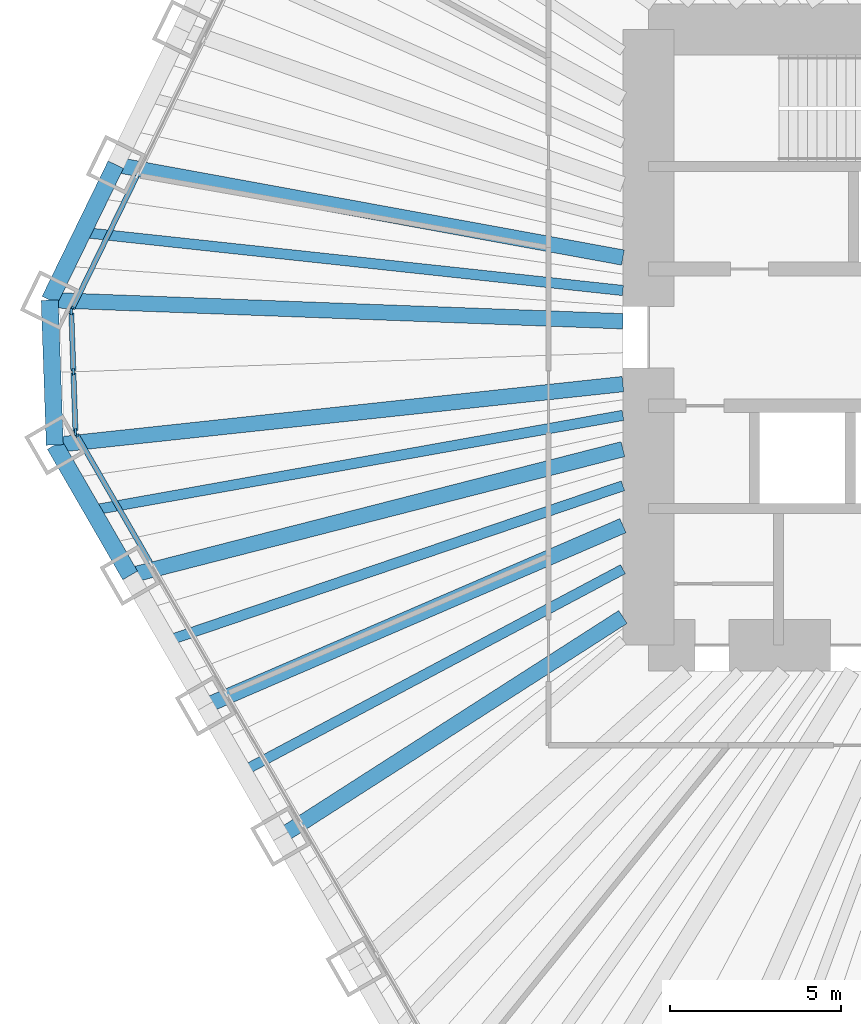
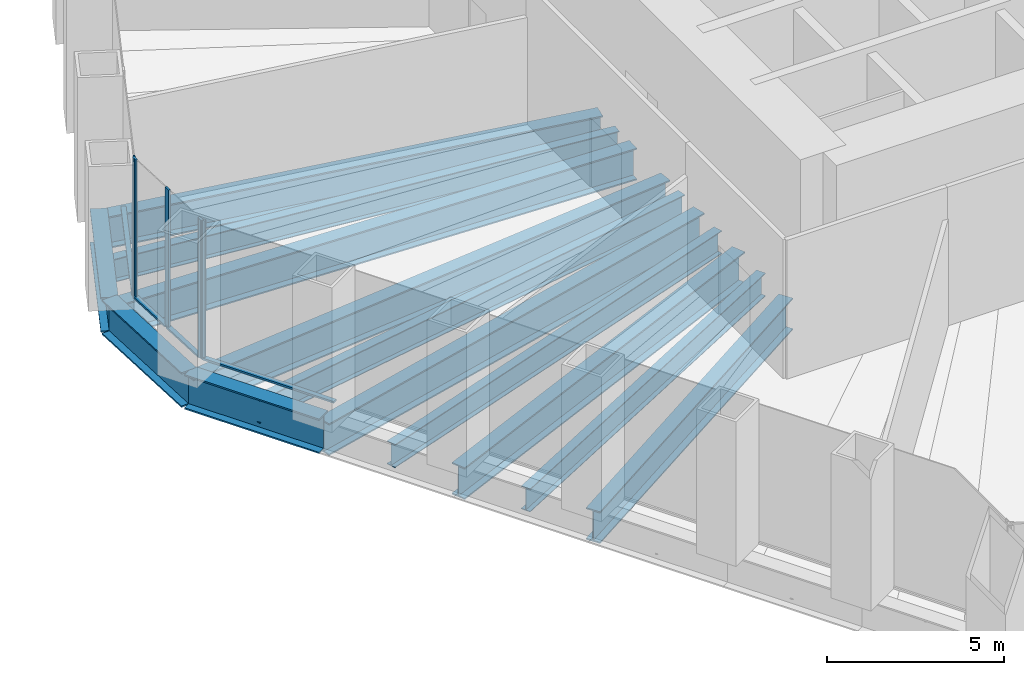
# One storey, part 3 of 13: 13 beams, 9 members, 3 elements without a shape of their own.
"""IFC4 building model written with IfcOpenShell, lengths in metres."""

import ifcopenshell
import ifcopenshell.guid

model = None  # the IFC model being written
_history = None  # IfcOwnerHistory: only IFC2X3 demands one
_inside = {}  # id of a spatial element -> (the spatial element, [elements in it])
_under = {}  # id of a project, library or spatial element -> (it, [spatial elements below it])
_declared = {}  # id of a project -> (the project, [libraries it declares])
_typed = {}  # id of a type object -> (the type object, [elements of that type])
_made_of = {}  # id of a material, layer set ... -> (it, [elements and type objects made of it])


def new_model(schema):
    """Start an empty IFC model of exactly this schema.

    Asked for "IFC4X3", IfcOpenShell would pick the latest addendum, in which some entities
    have other attributes; the version numbers below select the first issue.
    IFC2X3 requires an IfcOwnerHistory on every rooted entity: one is made here for all.
    """
    global model, _history
    if schema == "IFC4X3":
        model = ifcopenshell.file(schema_version=(4, 3, 0, 0))
    else:
        model = ifcopenshell.file(schema=schema)
    _inside.clear()
    _under.clear()
    _declared.clear()
    _typed.clear()
    _made_of.clear()
    _history = None
    if model.schema == "IFC2X3":
        org = make("IfcOrganization", Name="unknown")
        user = make(
            "IfcPersonAndOrganization",
            ThePerson=make("IfcPerson", FamilyName="unknown"),
            TheOrganization=org,
        )
        app = make(
            "IfcApplication",
            ApplicationDeveloper=org,
            Version="unknown",
            ApplicationFullName="unknown",
            ApplicationIdentifier="unknown",
        )
        _history = make(
            "IfcOwnerHistory",
            OwningUser=user,
            OwningApplication=app,
            ChangeAction="ADDED",
            CreationDate=0,
        )
    return model


def make(cls, **values):
    """One entity of the class cls with the attributes given. An attribute that is None is left unset."""
    return model.create_entity(
        cls, **{name: value for name, value in values.items() if value is not None}
    )


def rooted(cls, **values):
    """An entity with a GlobalId (a new one), such as an element, a storey or a relation."""
    return make(cls, GlobalId=ifcopenshell.guid.new(), OwnerHistory=_history, **values)


def si_unit(unit_type, name, prefix=None):
    """IfcSIUnit, for example si_unit("LENGTHUNIT", "METRE", prefix="MILLI")."""
    return make("IfcSIUnit", UnitType=unit_type, Prefix=prefix, Name=name)


def assignment(units):
    """IfcUnitAssignment: the units of a project."""
    return None if units is None else make("IfcUnitAssignment", Units=units)


def point(xyz):
    """IfcCartesianPoint."""
    return None if xyz is None else make("IfcCartesianPoint", Coordinates=xyz)


def direction(xyz):
    """IfcDirection."""
    return None if xyz is None else make("IfcDirection", DirectionRatios=xyz)


def frame(location, z_axis=None, x_axis=None):
    """IfcAxis2Placement3D, a coordinate frame: its origin and axes. An axis left out is left unset."""
    return make(
        "IfcAxis2Placement3D",
        Location=point(location),
        Axis=direction(z_axis),
        RefDirection=direction(x_axis),
    )


def frame_2d(location, x_axis=None):
    """IfcAxis2Placement2D, a coordinate frame in the plane: its origin and x axis."""
    return make(
        "IfcAxis2Placement2D", Location=point(location), RefDirection=direction(x_axis)
    )


def origin():
    """The frame at (0, 0, 0) with its axes left unset."""
    return frame((0.0, 0.0, 0.0))


def origin_2d():
    """The frame at (0, 0) in the plane with its x axis left unset."""
    return frame_2d((0.0, 0.0))


def place(relative_to, where):
    """IfcLocalPlacement: puts the frame where relative to a parent placement (None: the world)."""
    return make(
        "IfcLocalPlacement", PlacementRelTo=relative_to, RelativePlacement=where
    )


def context(
    kind, dimensions, precision=None, world=None, true_north=None, identifier=None
):
    """IfcGeometricRepresentationContext, for example the 3D "Model" context."""
    return make(
        "IfcGeometricRepresentationContext",
        ContextIdentifier=identifier,
        ContextType=kind,
        CoordinateSpaceDimension=dimensions,
        Precision=precision,
        WorldCoordinateSystem=world,
        TrueNorth=true_north,
    )


def subcontext(parent, identifier, kind, view, scale=None):
    """IfcGeometricRepresentationSubContext, for example "Body" below "Model"."""
    return make(
        "IfcGeometricRepresentationSubContext",
        ContextIdentifier=identifier,
        ContextType=kind,
        ParentContext=parent,
        TargetScale=scale,
        TargetView=view,
    )


def project(units=None, contexts=None):
    """IfcProject with its units and contexts."""
    return rooted(
        "IfcProject",
        Name="project",
        RepresentationContexts=contexts,
        UnitsInContext=assignment(units),
    )


def spatial(cls, under=None, at=None, **own):
    """A site, building, storey or space (cls), placed at a placement, below another one or the project."""
    s = rooted(cls, ObjectPlacement=at, **own)
    if under is not None:
        _under.setdefault(under.id(), (under, []))[1].append(s)
    return s


def profile(cls, at=None, kind="AREA", **sizes):
    """A parametric profile (cls). Its sizes go by their IFC names, for example OverallWidth=200.0."""
    return make(cls, ProfileType=kind, Position=at, **sizes)


def rectangle(**sizes):
    """IfcRectangleProfileDef."""
    return profile("IfcRectangleProfileDef", **sizes)


def i_section(**sizes):
    """IfcIShapeProfileDef."""
    return profile("IfcIShapeProfileDef", **sizes)


def extrude(swept, where, along, depth):
    """IfcExtrudedAreaSolid: the profile swept, set in the frame where, extruded along a direction by depth."""
    return make(
        "IfcExtrudedAreaSolid",
        SweptArea=swept,
        Position=where,
        ExtrudedDirection=direction(along),
        Depth=depth,
    )


def shape(context_of_items, identifier, shape_type, items):
    """IfcShapeRepresentation: the items that make up one representation, for example the "Body"."""
    return make(
        "IfcShapeRepresentation",
        ContextOfItems=context_of_items,
        RepresentationIdentifier=identifier,
        RepresentationType=shape_type,
        Items=items,
    )


def material(Name=None, Category=None):
    """IfcMaterial."""
    return make("IfcMaterial", Name=Name, Category=Category)


def material_profile(
    of_material, cross_section, Name=None, Category=None, Priority=None
):
    """IfcMaterialProfile: a cross section and its material."""
    return make(
        "IfcMaterialProfile",
        Name=Name,
        Material=of_material,
        Profile=cross_section,
        Priority=Priority,
        Category=Category,
    )


def profile_set(profiles, Name=None, composite=None):
    """IfcMaterialProfileSet."""
    return make(
        "IfcMaterialProfileSet",
        Name=Name,
        MaterialProfiles=profiles,
        CompositeProfile=composite,
    )


def made_of(thing, what):
    """Note that an element or type object is made of a material, layer set ...; save() writes the relation."""
    if what is not None:
        _made_of.setdefault(what.id(), (what, []))[1].append(thing)
    return thing


def type_object(cls, material=None, **own):
    """A type object (cls), such as IfcWallType, which elements share."""
    return made_of(rooted(cls, **own), material)


def element(
    cls,
    number,
    at=None,
    inside=None,
    cuts=None,
    type_object=None,
    material=None,
    context=None,
    identifier="Body",
    shape_type=None,
    held_by="IfcProductDefinitionShape",
    body=None,
    shapes=None,
    **own,
):
    """One element of the class cls, such as IfcWall. Its Tag is "e" and its number.

    at: its placement. inside: the storey or other place that contains it. cuts: it is an
    opening in that element (IfcRelVoidsElement). A single representation is given by context,
    identifier, shape_type and body (its items); several are given by shapes. held_by: the class
    of the entity that holds the representations. save() writes the other relations.
    """
    e = rooted(cls, Tag="e%d" % number, ObjectPlacement=at, **own)
    if body is not None:
        shapes = [shape(context, identifier, shape_type, body)]
    if shapes is not None:
        e.Representation = make(held_by, Representations=shapes)
    if inside is not None:
        _inside.setdefault(inside.id(), (inside, []))[1].append(e)
    if cuts is not None:
        rooted(
            "IfcRelVoidsElement", RelatingBuildingElement=cuts, RelatedOpeningElement=e
        )
    if type_object is not None:
        _typed.setdefault(type_object.id(), (type_object, []))[1].append(e)
    return made_of(e, material)


def aggregate(whole, parts):
    """IfcRelAggregates: a whole, such as a stair, and the parts it consists of."""
    return rooted("IfcRelAggregates", RelatingObject=whole, RelatedObjects=parts)


def save(model, path):
    """Write the relations noted so far, then the file.

    IfcRelAggregates (storeys below a building ...), IfcRelContainedInSpatialStructure (elements
    in a storey), IfcRelDefinesByType, IfcRelAssociatesMaterial and IfcRelDeclares: one each for
    every whole, place, type object, material and project.
    """
    for whole, parts in _under.values():
        aggregate(whole, parts)
    for where, things in _inside.values():
        rooted(
            "IfcRelContainedInSpatialStructure",
            RelatedElements=things,
            RelatingStructure=where,
        )
    for kind, things in _typed.values():
        rooted("IfcRelDefinesByType", RelatedObjects=things, RelatingType=kind)
    for what, things in _made_of.values():
        rooted("IfcRelAssociatesMaterial", RelatedObjects=things, RelatingMaterial=what)
    for by, libraries in _declared.values():
        rooted("IfcRelDeclares", RelatingContext=by, RelatedDefinitions=libraries)
    model.write(path)


model = new_model("IFC4")

# Units and contexts
model_context = context("Model", 3, precision=1e-05, world=origin(), true_north=direction((0.0, 1.0)))
body_context = subcontext(model_context, "Body", "Model", "MODEL_VIEW")
ifc_project = project(units=[si_unit("LENGTHUNIT", "METRE"), si_unit("AREAUNIT", "SQUARE_METRE"), si_unit("VOLUMEUNIT", "CUBIC_METRE"), si_unit("PLANEANGLEUNIT", "RADIAN"), si_unit("MASSUNIT", "GRAM", prefix="KILO")], contexts=[model_context])

# Site, building, storey
site_placement = place(None, origin())
site = spatial("IfcSite", under=ifc_project, at=site_placement, CompositionType="ELEMENT")
building_placement = place(site_placement, origin())
building = spatial("IfcBuilding", under=site, at=building_placement, Name="Qingtian Harvest Tower", CompositionType="ELEMENT")
storey_placement = place(building_placement, frame((0.0, 0.0, 22.0)))
storey = spatial("IfcBuildingStorey", under=building, at=storey_placement, Name="L04", CompositionType="ELEMENT", Elevation=22.0)

# Beams
ifc_material_1 = material(Name="Steel SM570MC", Category="steel")
ifc_material_profile_1 = material_profile(ifc_material_1, i_section(OverallWidth=0.449951171875, OverallDepth=1.10009765625, WebThickness=0.02197265625, FlangeThickness=0.044921875, at=origin_2d()), Name="H1100x450x22x45")
ifc_profile_set_1 = profile_set([ifc_material_profile_1], Name="Steel SM570MC")
beam_type_1 = type_object("IfcBeamType", Name="Corner floor beam FB8 H1100x450x22x45", PredefinedType="BEAM", material=ifc_profile_set_1)
beam_1_placement = place(storey_placement, frame((-29.36083984375, -3.145751953125, -0.75), z_axis=(0.994308822197, 0.106536219669, 0.0), x_axis=(-0.106536219669, 0.994308822197, 0.0)))
element("IfcBeam", 1, at=beam_1_placement, inside=storey, type_object=beam_type_1, Name="Floor beam FB8 SW6", PredefinedType="BEAM", context=body_context, shape_type="SweptSolid", body=[
    extrude(i_section(OverallWidth=0.449951171875, OverallDepth=1.10009765625, WebThickness=0.02197265625, FlangeThickness=0.044921875, at=origin_2d()), origin(), (0.0, 0.0, 1.0), 16.705810546875),
])
beam_2_placement = place(storey_placement, frame((-29.5087890625, 1.08984375, -0.75), z_axis=(0.999318796571, -0.036904509488, 0.0), x_axis=(0.036904509488, 0.999318796571, 0.0)))
element("IfcBeam", 2, at=beam_2_placement, inside=storey, type_object=beam_type_1, Name="Floor beam FB8 NW0", PredefinedType="BEAM", context=body_context, shape_type="SweptSolid", body=[
    extrude(i_section(OverallWidth=0.449951171875, OverallDepth=1.10009765625, WebThickness=0.02197265625, FlangeThickness=0.044921875, at=origin_2d()), origin(), (0.0, 0.0, 1.0), 16.770263671875),
])
ifc_material_2 = material(Name="Steel SM570MC", Category="steel")
ifc_material_profile_2 = material_profile(ifc_material_2, i_section(OverallWidth=0.449951171875, OverallDepth=1.10009765625, WebThickness=0.02197265625, FlangeThickness=0.044921875, at=origin_2d()), Name="H1100x450x22x45")
ifc_profile_set_2 = profile_set([ifc_material_profile_2], Name="Steel SM570MC")
beam_type_2 = type_object("IfcBeamType", Name="Floor beam FB1 H1100x450x22x45", PredefinedType="BEAM", material=ifc_profile_set_2)
beam_3_placement = place(storey_placement, frame((-22.75390625, -14.589111328125, -0.75), z_axis=(0.841829353865, 0.539743771591, 0.0), x_axis=(-0.539743771591, 0.841829353865, 0.0)))
element("IfcBeam", 3, at=beam_3_placement, inside=storey, type_object=beam_type_2, Name="Floor beam FB1 SW3", PredefinedType="BEAM", context=body_context, shape_type="SweptSolid", body=[
    extrude(i_section(OverallWidth=0.449951171875, OverallDepth=1.10009765625, WebThickness=0.02197265625, FlangeThickness=0.044921875, at=origin_2d()), origin(), (0.0, 0.0, 1.0), 11.883544921875),
])
beam_4_placement = place(storey_placement, frame((-24.9560546875, -10.774658203125, -0.75), z_axis=(0.918083617325, 0.396386770213, 0.0), x_axis=(-0.396386770213, 0.918083617325, 0.0)))
element("IfcBeam", 4, at=beam_4_placement, inside=storey, type_object=beam_type_2, Name="Floor beam FB1 SW4", PredefinedType="BEAM", context=body_context, shape_type="SweptSolid", body=[
    extrude(i_section(OverallWidth=0.449951171875, OverallDepth=1.10009765625, WebThickness=0.02197265625, FlangeThickness=0.044921875, at=origin_2d()), origin(), (0.0, 0.0, 1.0), 13.295166015625),
])
beam_5_placement = place(storey_placement, frame((-27.158447265625, -6.960205078125, -0.75), z_axis=(0.968693729942, 0.248258851947, 0.0), x_axis=(-0.248258851947, 0.968693729942, 0.0)))
element("IfcBeam", 5, at=beam_5_placement, inside=storey, type_object=beam_type_2, Name="Floor beam FB1 SW5", PredefinedType="BEAM", context=body_context, shape_type="SweptSolid", body=[
    extrude(i_section(OverallWidth=0.449951171875, OverallDepth=1.10009765625, WebThickness=0.02197265625, FlangeThickness=0.044921875, at=origin_2d()), origin(), (0.0, 0.0, 1.0), 14.8740234375),
])
beam_6_placement = place(storey_placement, frame((-27.577880859375, 5.048828125, -0.75), z_axis=(0.98365177106, -0.180081074215, 0.0), x_axis=(0.180081074215, 0.98365177106, 0.0)))
element("IfcBeam", 6, at=beam_6_placement, inside=storey, type_object=beam_type_2, Name="Floor beam FB1 NW1", PredefinedType="BEAM", context=body_context, shape_type="SweptSolid", body=[
    extrude(i_section(OverallWidth=0.449951171875, OverallDepth=1.10009765625, WebThickness=0.02197265625, FlangeThickness=0.044921875, at=origin_2d()), origin(), (0.0, 0.0, 1.0), 15.07421875),
])
ifc_material_3 = material(Name="Steel SN490B", Category="steel")
ifc_material_profile_3 = material_profile(ifc_material_3, i_section(OverallWidth=0.300048828125, OverallDepth=0.800048828125, WebThickness=0.013916015625, FlangeThickness=0.02587890625, at=origin_2d()), Name="H800x300x14x26")
ifc_profile_set_3 = profile_set([ifc_material_profile_3], Name="Steel SN490B")
beam_type_3 = type_object("IfcBeamType", Name="Floor joist J1 H800x300x14x26", PredefinedType="JOIST", material=ifc_profile_set_3)
beam_7_placement = place(storey_placement, frame((-23.85498046875, -12.681884765625, -0.60009765625), z_axis=(0.882982474604, 0.469405953885, 0.0), x_axis=(-0.469405953885, 0.882982474604, 0.0)))
element("IfcBeam", 7, at=beam_7_placement, inside=storey, type_object=beam_type_3, Name="Floor joist J1 SW3", PredefinedType="JOIST", context=body_context, shape_type="SweptSolid", body=[
    extrude(i_section(OverallWidth=0.300048828125, OverallDepth=0.800048828125, WebThickness=0.013916015625, FlangeThickness=0.02587890625, at=origin_2d()), origin(), (0.0, 0.0, 1.0), 12.57666015625),
])
beam_8_placement = place(storey_placement, frame((-26.057373046875, -8.867431640625, -0.60009765625), z_axis=(0.946684735425, 0.322161468387, 0.0), x_axis=(-0.322161468387, 0.946684735425, 0.0)))
element("IfcBeam", 8, at=beam_8_placement, inside=storey, type_object=beam_type_3, Name="Floor joist J1 SW4", PredefinedType="JOIST", context=body_context, shape_type="SweptSolid", body=[
    extrude(i_section(OverallWidth=0.300048828125, OverallDepth=0.800048828125, WebThickness=0.013916015625, FlangeThickness=0.02587890625, at=origin_2d()), origin(), (0.0, 0.0, 1.0), 14.056884765625),
])
beam_9_placement = place(storey_placement, frame((-28.259521484375, -5.052978515625, -0.60009765625), z_axis=(0.984387614034, 0.176014275943, 0.0), x_axis=(-0.176014275943, 0.984387614034, 0.0)))
element("IfcBeam", 9, at=beam_9_placement, inside=storey, type_object=beam_type_3, Name="Floor joist J1 SW5", PredefinedType="JOIST", context=body_context, shape_type="SweptSolid", body=[
    extrude(i_section(OverallWidth=0.300048828125, OverallDepth=0.800048828125, WebThickness=0.013916015625, FlangeThickness=0.02587890625, at=origin_2d()), origin(), (0.0, 0.0, 1.0), 15.755615234375),
])
beam_10_placement = place(storey_placement, frame((-28.543212890625, 3.0693359375, -0.60009765625), z_axis=(0.994268320665, -0.106913546948, 0.0), x_axis=(0.106913546948, 0.994268320665, 0.0)))
element("IfcBeam", 10, at=beam_10_placement, inside=storey, type_object=beam_type_3, Name="Floor joist J1 NW0", PredefinedType="JOIST", context=body_context, shape_type="SweptSolid", body=[
    extrude(i_section(OverallWidth=0.300048828125, OverallDepth=0.800048828125, WebThickness=0.013916015625, FlangeThickness=0.02587890625, at=origin_2d()), origin(), (0.0, 0.0, 1.0), 15.88427734375),
])

# Curtain wall, member
ifc_material_4 = material(Name="Bronze-anodised aluminium curtain wall", Category="aluminium")
curtain_wall_type = type_object("IfcCurtainWallType", Name="Curtain wall CW2 farm reception", PredefinedType="USERDEFINED", material=ifc_material_4)
curtain_wall_1_placement = place(storey_placement, origin())
curtain_wall_1 = element("IfcCurtainWall", 11, at=curtain_wall_1_placement, inside=storey, type_object=curtain_wall_type, Name="Curtain wall CW2 L04 SW0-5", ObjectType="RECESSED CURTAIN WALL", PredefinedType="USERDEFINED")
ifc_material_5 = material(Name="Bronze-anodised aluminium mullion", Category="aluminium")
ifc_material_profile_4 = material_profile(ifc_material_5, rectangle(XDim=0.06494140625, YDim=0.199951171875, at=origin_2d()), Name="AL 65x200")
ifc_profile_set_4 = profile_set([ifc_material_profile_4], Name="Bronze-anodised aluminium mullion")
member_type_1 = type_object("IfcMemberType", Name="Mullion CWM 65x200", PredefinedType="MULLION", material=ifc_profile_set_4)
member_1_placement = place(storey_placement, frame((-28.73828125, -2.82373046875, 0.0), z_axis=(0.0, 0.0, 1.0), x_axis=(-0.866025403784, -0.5, 0.0)))
member_1 = element("IfcMember", 12, at=member_1_placement, type_object=member_type_1, Name="CW2 mullion 7", PredefinedType="MULLION", context=body_context, shape_type="SweptSolid", body=[
    extrude(rectangle(XDim=0.06494140625, YDim=0.199951171875, at=origin_2d()), origin(), (0.0, 0.0, 1.0), 4.800048828125),
])

# Curtain wall, members
curtain_wall_2_placement = place(storey_placement, origin())
curtain_wall_2 = element("IfcCurtainWall", 13, at=curtain_wall_2_placement, inside=storey, type_object=curtain_wall_type, Name="Curtain wall CW2 L04 SWC", ObjectType="RECESSED CURTAIN WALL", PredefinedType="USERDEFINED")
member_2_placement = place(storey_placement, frame((-28.755615234375, -2.76318359375, 0.0), z_axis=(0.0, 0.0, 1.0), x_axis=(-0.999390827019, -0.034899496703, 0.0)))
member_2 = element("IfcMember", 14, at=member_2_placement, type_object=member_type_1, Name="CW2 mullion 1", PredefinedType="MULLION", context=body_context, shape_type="SweptSolid", body=[
    extrude(rectangle(XDim=0.06494140625, YDim=0.199951171875, at=origin_2d()), origin(), (0.0, 0.0, 1.0), 4.800048828125),
])
member_3_placement = place(storey_placement, frame((-28.817138671875, -1.00634765625, 0.0), z_axis=(0.0, 0.0, 1.0), x_axis=(-0.999390827019, -0.034899496703, 0.0)))
member_3 = element("IfcMember", 15, at=member_3_placement, type_object=member_type_1, Name="CW2 mullion 2", PredefinedType="MULLION", context=body_context, shape_type="SweptSolid", body=[
    extrude(rectangle(XDim=0.06494140625, YDim=0.199951171875, at=origin_2d()), origin(), (0.0, 0.0, 1.0), 4.800048828125),
])
member_4_placement = place(storey_placement, frame((-28.87841796875, 0.75048828125, 0.0), z_axis=(0.0, 0.0, 1.0), x_axis=(-0.999390827019, -0.034899496703, 0.0)))
member_4 = element("IfcMember", 16, at=member_4_placement, type_object=member_type_1, Name="CW2 mullion 3", PredefinedType="MULLION", context=body_context, shape_type="SweptSolid", body=[
    extrude(rectangle(XDim=0.06494140625, YDim=0.199951171875, at=origin_2d()), origin(), (0.0, 0.0, 1.0), 4.800048828125),
])

# Curtain wall, member
curtain_wall_3_placement = place(storey_placement, origin())
curtain_wall_3 = element("IfcCurtainWall", 17, at=curtain_wall_3_placement, inside=storey, type_object=curtain_wall_type, Name="Curtain wall CW2 L04 NW0-5", ObjectType="RECESSED CURTAIN WALL", PredefinedType="USERDEFINED")
member_5_placement = place(storey_placement, frame((-28.865234375, 0.812255859375, 0.0), z_axis=(0.0, 0.0, 1.0), x_axis=(-0.898794046299, 0.438371146789, 0.0)))
member_5 = element("IfcMember", 18, at=member_5_placement, type_object=member_type_1, Name="CW2 mullion 1", PredefinedType="MULLION", context=body_context, shape_type="SweptSolid", body=[
    extrude(rectangle(XDim=0.06494140625, YDim=0.199951171875, at=origin_2d()), origin(), (0.0, 0.0, 1.0), 4.800048828125),
])

# Beams
ifc_material_6 = material(Name="Steel SM570MC", Category="steel")
ifc_material_profile_5 = material_profile(ifc_material_6, i_section(OverallWidth=0.5, OverallDepth=1.199951171875, WebThickness=0.02490234375, FlangeThickness=0.050048828125, at=origin_2d()), Name="H1200x500x25x50")
ifc_profile_set_5 = profile_set([ifc_material_profile_5], Name="Steel SM570MC")
beam_type_4 = type_object("IfcBeamType", Name="Spandrel beam SB1 H1200x500x25x50", PredefinedType="SPANDREL", material=ifc_profile_set_5)
beam_11_placement = place(storey_placement, frame((-27.158447265625, -6.960205078125, -0.60009765625), z_axis=(-0.50001992892, 0.866013897511, 0.0), x_axis=(-0.866013897511, -0.50001992892, 0.0)))
element("IfcBeam", 19, at=beam_11_placement, inside=storey, type_object=beam_type_4, Name="Spandrel SB1 SW5", PredefinedType="SPANDREL", context=body_context, shape_type="SweptSolid", body=[
    extrude(i_section(OverallWidth=0.5, OverallDepth=1.199951171875, WebThickness=0.02490234375, FlangeThickness=0.050048828125, at=origin_2d()), origin(), (0.0, 0.0, 1.0), 4.404541015625),
])
beam_12_placement = place(storey_placement, frame((-29.36083984375, -3.145751953125, -0.60009765625), z_axis=(-0.034908677553, 0.999390506375, 0.0), x_axis=(-0.999390506375, -0.034908677553, 0.0)))
element("IfcBeam", 20, at=beam_12_placement, inside=storey, type_object=beam_type_4, Name="Spandrel SB1 SWC", PredefinedType="SPANDREL", context=body_context, shape_type="SweptSolid", body=[
    extrude(i_section(OverallWidth=0.5, OverallDepth=1.199951171875, WebThickness=0.02490234375, FlangeThickness=0.050048828125, at=origin_2d()), origin(), (0.0, 0.0, 1.0), 4.23828125),
])
beam_13_placement = place(storey_placement, frame((-29.5087890625, 1.08984375, -0.60009765625), z_axis=(0.438367938366, 0.898795611145, 0.0), x_axis=(-0.898795611145, 0.438367938366, 0.0)))
element("IfcBeam", 21, at=beam_13_placement, inside=storey, type_object=beam_type_4, Name="Spandrel SB1 NW0", PredefinedType="SPANDREL", context=body_context, shape_type="SweptSolid", body=[
    extrude(i_section(OverallWidth=0.5, OverallDepth=1.199951171875, WebThickness=0.02490234375, FlangeThickness=0.050048828125, at=origin_2d()), origin(), (0.0, 0.0, 1.0), 4.40478515625),
])

# Member
ifc_material_7 = material(Name="Bronze-anodised aluminium transom", Category="aluminium")
ifc_material_profile_6 = material_profile(ifc_material_7, rectangle(XDim=0.14990234375, YDim=0.06494140625, at=origin_2d()), Name="AL 65x150")
ifc_profile_set_6 = profile_set([ifc_material_profile_6], Name="Bronze-anodised aluminium transom")
member_type_2 = type_object("IfcMemberType", Name="Transom CWT 65x150", PredefinedType="USERDEFINED", material=ifc_profile_set_6)
member_6_placement = place(storey_placement, frame((-26.568603515625, -6.58203125, 0.032470703125), z_axis=(-0.499967798808, 0.866043994353, 0.0), x_axis=(-0.866043994353, -0.499967798808, 0.0)))
member_6 = element("IfcMember", 22, at=member_6_placement, type_object=member_type_2, Name="CW2 transom 6.1", ObjectType="TRANSOM", PredefinedType="USERDEFINED", context=body_context, shape_type="SweptSolid", body=[
    extrude(rectangle(XDim=0.14990234375, YDim=0.06494140625, at=origin_2d()), origin(), (0.0, 0.0, 1.0), 4.306884765625),
])

aggregate(curtain_wall_1, [member_1, member_6])

member_7_placement = place(storey_placement, frame((-28.7568359375, -2.730712890625, 0.032470703125), z_axis=(-0.034899362377, 0.99939083171, 0.0), x_axis=(-0.99939083171, -0.034899362377, 0.0)))
member_7 = element("IfcMember", 23, at=member_7_placement, type_object=member_type_2, Name="CW2 transom 1.1", ObjectType="TRANSOM", PredefinedType="USERDEFINED", context=body_context, shape_type="SweptSolid", body=[
    extrude(rectangle(XDim=0.14990234375, YDim=0.06494140625, at=origin_2d()), origin(), (0.0, 0.0, 1.0), 1.69287109375),
])

member_8_placement = place(storey_placement, frame((-28.818115234375, -0.973876953125, 0.032470703125), z_axis=(-0.034899362377, 0.99939083171, 0.0), x_axis=(-0.99939083171, -0.034899362377, 0.0)))
member_8 = element("IfcMember", 24, at=member_8_placement, type_object=member_type_2, Name="CW2 transom 2.1", ObjectType="TRANSOM", PredefinedType="USERDEFINED", context=body_context, shape_type="SweptSolid", body=[
    extrude(rectangle(XDim=0.14990234375, YDim=0.06494140625, at=origin_2d()), origin(), (0.0, 0.0, 1.0), 1.69287109375),
])

aggregate(curtain_wall_2, [member_2, member_3, member_4, member_7, member_8])

member_9_placement = place(storey_placement, frame((-28.85107421875, 0.841552734375, 0.032470703125), z_axis=(0.438394595167, 0.898782609383, 0.0), x_axis=(-0.898782609383, 0.438394595167, 0.0)))
member_9 = element("IfcMember", 25, at=member_9_placement, type_object=member_type_2, Name="CW2 transom 1.1", ObjectType="TRANSOM", PredefinedType="USERDEFINED", context=body_context, shape_type="SweptSolid", body=[
    extrude(rectangle(XDim=0.14990234375, YDim=0.06494140625, at=origin_2d()), origin(), (0.0, 0.0, 1.0), 4.30712890625),
])

aggregate(curtain_wall_3, [member_5, member_9])

save(model, "model.ifc")
